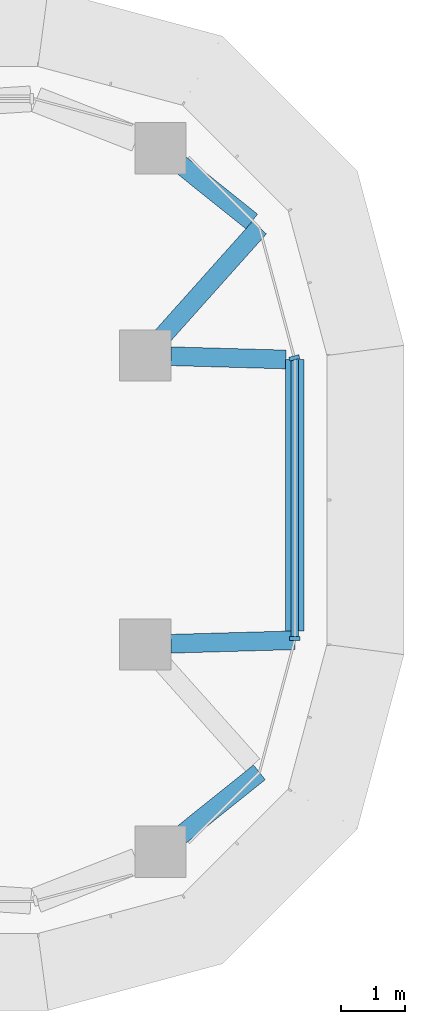
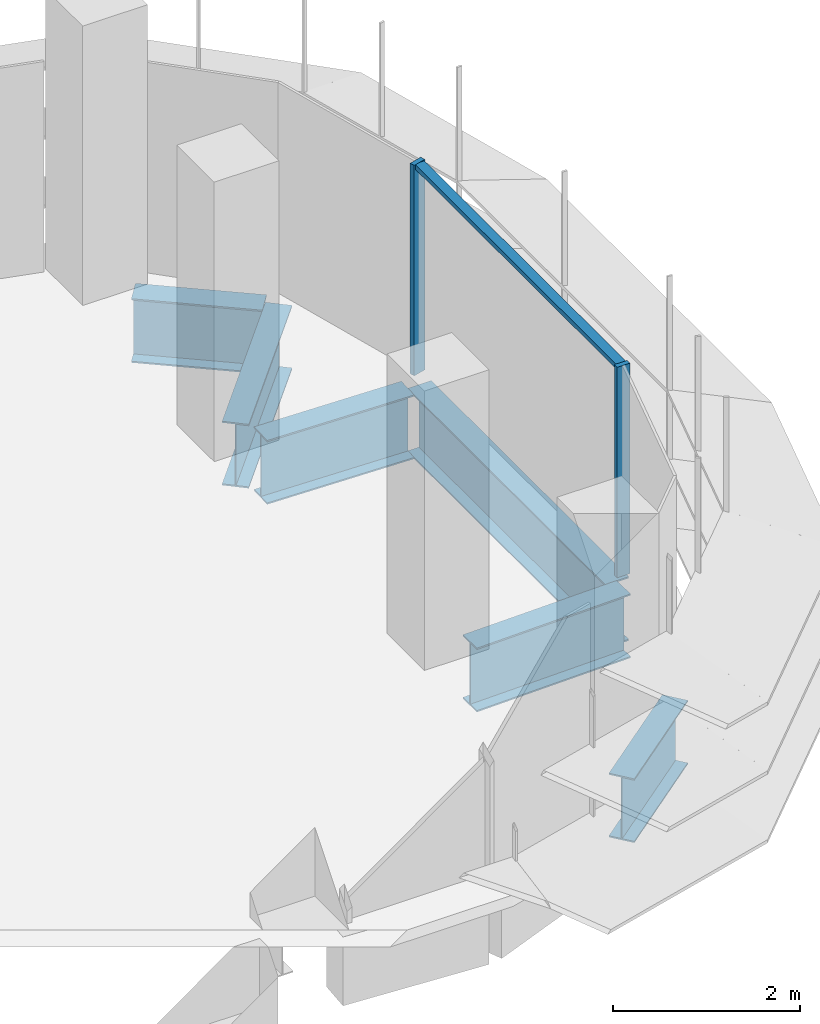
# One storey, part 10 of 20: 6 beams, 3 members, 2 elements without a shape of their own.
"""IFC4 building model written with IfcOpenShell, lengths in metres."""

from ifc_helpers import new_model, si_unit, direction, frame, origin, origin_2d, place, context, subcontext, project, spatial, polyline, i_section, outline, extrude, source, transform, mapped, material, material_profile, profile_set, type_object, element, aggregate, save


model = new_model("IFC4")

# Units and contexts
model_context = context("Model", 3, precision=1e-05, world=origin(), true_north=direction((0.0, 1.0)))
body_context = subcontext(model_context, "Body", "Model", "MODEL_VIEW")
ifc_project = project(units=[si_unit("LENGTHUNIT", "METRE"), si_unit("AREAUNIT", "SQUARE_METRE"), si_unit("VOLUMEUNIT", "CUBIC_METRE"), si_unit("PLANEANGLEUNIT", "RADIAN"), si_unit("MASSUNIT", "GRAM", prefix="KILO")], contexts=[model_context])

# Site, building, storey
site_placement = place(None, origin())
site = spatial("IfcSite", under=ifc_project, at=site_placement, CompositionType="ELEMENT")
building_placement = place(site_placement, origin())
building = spatial("IfcBuilding", under=site, at=building_placement, Name="Zarbagh Exchange Tower", CompositionType="ELEMENT")
storey_placement = place(building_placement, frame((0.0, 0.0, 144.800048828125)))
storey = spatial("IfcBuildingStorey", under=building, at=storey_placement, Name="L34", CompositionType="ELEMENT", Elevation=144.800048828125)

# Beams
ifc_material_1 = material(Name="Steel ASTM A992 Gr 50", Category="steel")
ifc_material_profile = material_profile(ifc_material_1, i_section(OverallWidth=0.2919921875, OverallDepth=0.835693359375, WebThickness=0.013916015625, FlangeThickness=0.018798828125, at=origin_2d()), Name="W33X118")
ifc_profile_set = profile_set([ifc_material_profile], Name="Steel ASTM A992 Gr 50")
beam_type = type_object("IfcBeamType", Name="Floor girder W33X118", PredefinedType="BEAM", material=ifc_profile_set)
beam_1_placement = place(storey_placement, frame((29.22021484375, 5.22509765625, -0.56787109375), z_axis=(0.780533236132, -0.625114283387, 0.0), x_axis=(0.625114283387, 0.780533236132, 0.0)))
element("IfcBeam", 1, at=beam_1_placement, inside=storey, type_object=beam_type, Name="Steel girder", PredefinedType="BEAM", context=body_context, shape_type="SweptSolid", body=[
    extrude(i_section(OverallWidth=0.2919921875, OverallDepth=0.835693359375, WebThickness=0.013916015625, FlangeThickness=0.018798828125, at=origin_2d()), origin(), (0.0, 0.0, 1.0), 1.420166015625),
])
beam_2_placement = place(storey_placement, frame((30.44873046875, 4.2412109375, -0.56787109375), z_axis=(-0.666191013206, -0.745781156857, 0.0), x_axis=(0.745781156857, -0.666191013206, 0.0)))
element("IfcBeam", 2, at=beam_2_placement, inside=storey, type_object=beam_type, Name="Steel girder", PredefinedType="BEAM", context=body_context, shape_type="SweptSolid", body=[
    extrude(i_section(OverallWidth=0.2919921875, OverallDepth=0.835693359375, WebThickness=0.013916015625, FlangeThickness=0.018798828125, at=origin_2d()), origin(), (0.0, 0.0, 1.0), 2.27001953125),
])
beam_3_placement = place(storey_placement, frame((29.06982421875, 2.23876953125, -0.56787109375), z_axis=(0.999600942558, -0.028248108547, 0.0), x_axis=(0.028248108547, 0.999600942558, 0.0)))
element("IfcBeam", 3, at=beam_3_placement, inside=storey, type_object=beam_type, Name="Steel girder", PredefinedType="BEAM", context=body_context, shape_type="SweptSolid", body=[
    extrude(i_section(OverallWidth=0.2919921875, OverallDepth=0.835693359375, WebThickness=0.013916015625, FlangeThickness=0.018798828125, at=origin_2d()), origin(), (0.0, 0.0, 1.0), 1.7890625),
])
beam_4_placement = place(storey_placement, frame((31.0, 2.18408203125, -0.56787109375), z_axis=(0.0, -1.0, 0.0), x_axis=(1.0, 0.0, 0.0)))
element("IfcBeam", 4, at=beam_4_placement, inside=storey, type_object=beam_type, Name="Steel girder", PredefinedType="BEAM", context=body_context, shape_type="SweptSolid", body=[
    extrude(i_section(OverallWidth=0.2919921875, OverallDepth=0.835693359375, WebThickness=0.013916015625, FlangeThickness=0.018798828125, at=origin_2d()), origin(), (0.0, 0.0, 1.0), 4.226318359375),
])
beam_5_placement = place(storey_placement, frame((31.0, -2.18408203125, -0.56787109375), z_axis=(-0.999598864551, -0.028321546377, 0.0), x_axis=(0.028321546377, -0.999598864551, 0.0)))
element("IfcBeam", 5, at=beam_5_placement, inside=storey, type_object=beam_type, Name="Steel girder", PredefinedType="BEAM", context=body_context, shape_type="SweptSolid", body=[
    extrude(i_section(OverallWidth=0.2919921875, OverallDepth=0.835693359375, WebThickness=0.013916015625, FlangeThickness=0.018798828125, at=origin_2d()), origin(), (0.0, 0.0, 1.0), 1.930908203125),
])
beam_6_placement = place(storey_placement, frame((30.44873046875, -4.2412109375, -0.56787109375), z_axis=(-0.780535770033, -0.625111119482, 0.0), x_axis=(0.625111119482, -0.780535770033, 0.0)))
element("IfcBeam", 6, at=beam_6_placement, inside=storey, type_object=beam_type, Name="Steel girder", PredefinedType="BEAM", context=body_context, shape_type="SweptSolid", body=[
    extrude(i_section(OverallWidth=0.2919921875, OverallDepth=0.835693359375, WebThickness=0.013916015625, FlangeThickness=0.018798828125, at=origin_2d()), origin(), (0.0, 0.0, 1.0), 1.573974609375),
])

# Curtain wall, member
ifc_material_2 = material(Name="Anodised aluminium frame and glazing", Category="aluminium")
curtain_wall_type = type_object("IfcCurtainWallType", Name="CWB Ribbon glazing, upper zones", PredefinedType="NOTDEFINED", material=ifc_material_2)
curtain_wall_1_placement = place(storey_placement, origin())
curtain_wall_1 = element("IfcCurtainWall", 7, at=curtain_wall_1_placement, inside=storey, type_object=curtain_wall_type, Name="CWB12 curtain wall", PredefinedType="NOTDEFINED")
ifc_material_3 = material(Name="Anodised aluminium frame", Category="aluminium")
member_type_1 = type_object("IfcMemberType", Name="MUB Mullion, anodised aluminium frame", PredefinedType="MULLION", material=ifc_material_3)
shared_shape_1 = source(origin(), body_context, "Body", "SweptSolid", [
    extrude(outline(polyline([(0.0, -0.080078125), (0.06005859375, -0.080078125), (0.06005859375, 0.080078125), (0.0, 0.080078125), (0.0, -0.080078125)])), origin(), (0.0, 0.0, 1.0), 2.75),
])
placement = place(storey_placement, origin())
member_1 = element("IfcMember", 8, at=placement, type_object=member_type_1, Name="CWB12 mullion 1.1", PredefinedType="MULLION", context=body_context, shape_type="MappedRepresentation", body=[
    mapped(shared_shape_1, transform((31.0, -2.18408203125, 0.0), x_axis=(0.0, 1.0, 0.0), y_axis=(-1.0, 0.0, 0.0), z_axis=(0.0, 0.0, 1.0))),
])

curtain_wall_2_placement = place(storey_placement, origin())
curtain_wall_2 = element("IfcCurtainWall", 9, at=curtain_wall_2_placement, inside=storey, type_object=curtain_wall_type, Name="CWB13 curtain wall", PredefinedType="NOTDEFINED")
member_2 = element("IfcMember", 10, at=placement, type_object=member_type_1, Name="CWB13 mullion 1.1", PredefinedType="MULLION", context=body_context, shape_type="MappedRepresentation", body=[
    mapped(shared_shape_1, transform((31.0, 2.18408203125, 0.0), x_axis=(-0.258824779902, 0.965924289636, 0.0), y_axis=(-0.965924289636, -0.258824779902, 0.0), z_axis=(0.0, 0.0, 1.0))),
])
aggregate(curtain_wall_2, [member_2])

# Member
member_type_2 = type_object("IfcMemberType", Name="TRB Transom, anodised aluminium frame", PredefinedType="USERDEFINED", material=ifc_material_3)
shared_shape_2 = source(origin(), body_context, "Body", "SweptSolid", [
    extrude(outline(polyline([(-0.06005859375, -0.06005859375), (0.0, -0.06005859375), (0.0, 0.06005859375), (-0.06005859375, 0.06005859375), (-0.06005859375, -0.06005859375)])), origin(), (0.0, 0.0, 1.0), 4.308349609375),
])
member_3 = element("IfcMember", 11, at=placement, type_object=member_type_2, Name="CWB12 transom 1.1", ObjectType="TRANSOM", PredefinedType="USERDEFINED", context=body_context, shape_type="MappedRepresentation", body=[
    mapped(shared_shape_2, transform((31.0, -2.124267578125, 2.75), x_axis=(0.0, 0.0, 1.0), y_axis=(1.0, 0.0, 0.0), z_axis=(0.0, 1.0, 0.0))),
])

aggregate(curtain_wall_1, [member_1, member_3])

save(model, "model.ifc")
